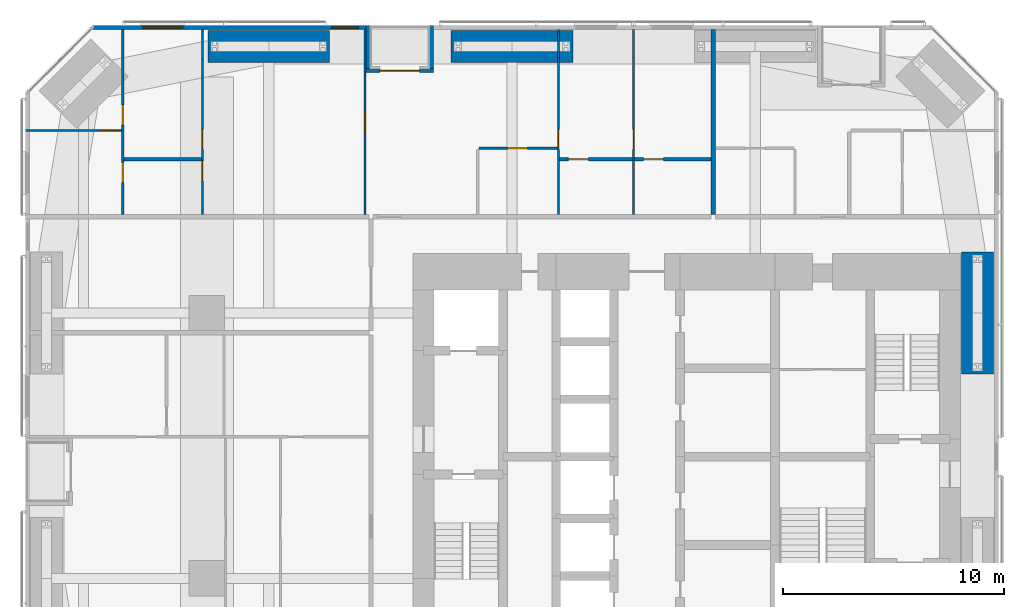
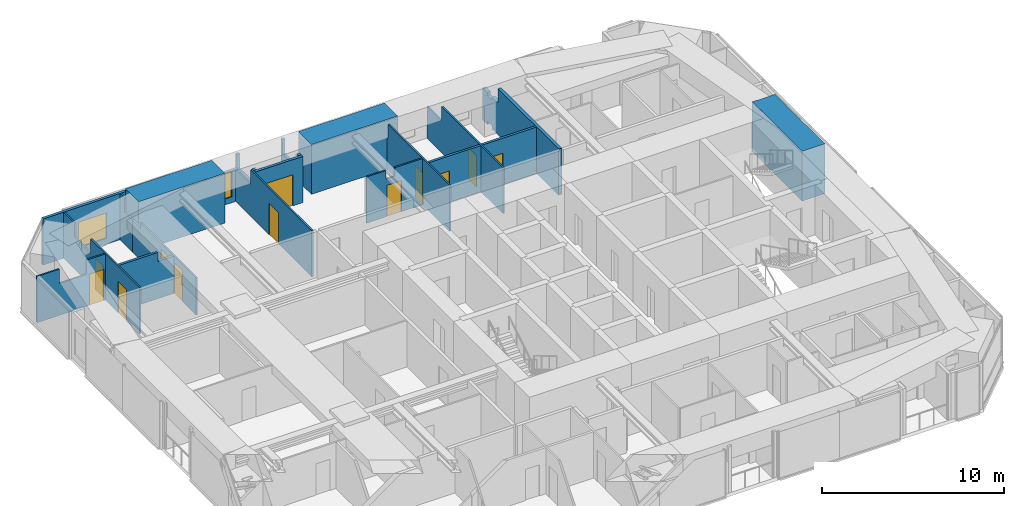
# One storey, part 22 of 24: 19 walls, 12 doors, 2 windows, 14 openings.
"""IFC4 building model written with IfcOpenShell, lengths in metres."""

from ifc_helpers import new_model, si_unit, direction, frame, frame_2d, origin, place, context, subcontext, project, spatial, polyline, rectangle, outline, extrude, material, layer, layer_set, constituent, constituent_set, type_object, element, fill, save


model = new_model("IFC4")

# Units and contexts
model_context = context("Model", 3, precision=1e-05, world=origin(), true_north=direction((0.0, 1.0)))
body_context = subcontext(model_context, "Body", "Model", "MODEL_VIEW")
ifc_project = project(units=[si_unit("LENGTHUNIT", "METRE"), si_unit("AREAUNIT", "SQUARE_METRE"), si_unit("VOLUMEUNIT", "CUBIC_METRE"), si_unit("PLANEANGLEUNIT", "RADIAN"), si_unit("MASSUNIT", "GRAM", prefix="KILO")], contexts=[model_context])

# Site, building, storey
site_placement = place(None, origin())
site = spatial("IfcSite", under=ifc_project, at=site_placement, CompositionType="ELEMENT")
building_placement = place(site_placement, origin())
building = spatial("IfcBuilding", under=site, at=building_placement, Name="Jalousie Tower", CompositionType="ELEMENT")
storey_placement = place(building_placement, frame((0.0, 0.0, 57.85009765625)))
storey = spatial("IfcBuildingStorey", under=building, at=storey_placement, Name="L15", CompositionType="ELEMENT", Elevation=57.85009765625)

# Wall
ifc_material_1 = material(Name="Concrete block ASTM C90", Category="concrete")
ifc_constituent_1 = constituent(ifc_material_1, Name="Body")
ifc_material_2 = material(Name="Render")
ifc_constituent_2 = constituent(ifc_material_2, Name="Finish")
ifc_constituent_set_1 = constituent_set(constituents=[ifc_constituent_1, ifc_constituent_2])
wall_type_1 = type_object("IfcWallType", Name="BATHROOM WALL 150", PredefinedType="PLUMBINGWALL", material=ifc_constituent_set_1)
wall_1_placement = place(storey_placement, frame((6.449951171875, 31.949951171875, 0.0), z_axis=(0.0, 0.0, 1.0), x_axis=(1.0, 0.0, 0.0)))
element("IfcWall", 1, at=wall_1_placement, inside=storey, type_object=wall_type_1, Name="Bathroom Wall 150 L15", PredefinedType="PLUMBINGWALL", context=body_context, shape_type="SweptSolid", body=[
    extrude(outline(polyline([(0.0, 0.0), (3.5, 0.0), (3.5, 3.10986328125), (3.5, 2.510009765625), (2.465087890625, 2.510009765625), (2.465087890625, 3.10986328125), (0.0, 3.10986328125), (0.0, 0.0)])), frame((0.0, 0.074951171875, 0.0), z_axis=(0.0, -1.0, 0.0), x_axis=(1.0, 0.0, 0.0)), (0.0, 0.0, 1.0), 0.14990234375),
])

# Wall, opening, door
wall_2_placement = place(storey_placement, frame((26.14990234375, 31.949951171875, 0.0), z_axis=(0.0, 0.0, 1.0), x_axis=(1.0, 0.0, 0.0)))
wall_2 = element("IfcWall", 2, at=wall_2_placement, inside=storey, type_object=wall_type_1, Name="Bathroom Wall 150 L15", PredefinedType="PLUMBINGWALL", context=body_context, shape_type="SweptSolid", body=[
    extrude(rectangle(XDim=3.300048828125, YDim=0.14990234375, at=frame_2d((1.64990234375, 0.0))), origin(), (0.0, 0.0, 1.0), 3.10986328125),
])
opening_1_placement = place(wall_2_placement, frame((0.39990234375, 0.0, 0.0)))
opening_1 = element("IfcOpeningElement", 3, at=opening_1_placement, cuts=wall_2, Name="Opening D3", PredefinedType="OPENING", context=body_context, shape_type="SweptSolid", body=[
    extrude(rectangle(XDim=0.89990234375, YDim=2.10009765625, at=frame_2d((0.449951171875, 1.050048828125))), frame((0.0, 0.0849609375, 0.0), z_axis=(0.0, -1.0, 0.0), x_axis=(1.0, 0.0, 0.0)), (0.0, 0.0, 1.0), 0.169921875),
])
ifc_material_3 = material(Name="Timber door", Category="wood")
door_type_1 = type_object("IfcDoorType", Name="BATHROOM DOOR 900", OperationType="SINGLE_SWING_LEFT", PredefinedType="DOOR", material=ifc_material_3)
door_1_placement = place(opening_1_placement, frame((0.89990234375, 0.0, 0.0), z_axis=(0.0, 0.0, 1.0), x_axis=(-1.0, 0.0, 0.0)))
door_1 = element("IfcDoor", 4, at=door_1_placement, inside=storey, type_object=door_type_1, Name="Apartment 1503 bedroom 3 bathroom door", OperationType="SINGLE_SWING_RIGHT", OverallHeight=2.10009765625, OverallWidth=0.89990234375, PredefinedType="DOOR", context=body_context, shape_type="SweptSolid", body=[
    extrude(rectangle(XDim=0.89990234375, YDim=2.10009765625, at=frame_2d((0.449951171875, 1.050048828125))), frame((0.0, 0.02490234375, 0.0), z_axis=(0.0, -1.0, 0.0), x_axis=(1.0, 0.0, 0.0)), (0.0, 0.0, 1.0), 0.050048828125),
])
fill(opening_1, door_1)

wall_3_placement = place(storey_placement, frame((29.550048828125, 31.949951171875, 0.0), z_axis=(0.0, 0.0, 1.0), x_axis=(1.0, 0.0, 0.0)))
wall_3 = element("IfcWall", 5, at=wall_3_placement, inside=storey, type_object=wall_type_1, Name="Bathroom Wall 150 L15", PredefinedType="PLUMBINGWALL", context=body_context, shape_type="SweptSolid", body=[
    extrude(rectangle(XDim=3.449951171875, YDim=0.14990234375, at=frame_2d((1.72509765625, 0.0))), origin(), (0.0, 0.0, 1.0), 3.10986328125),
])
opening_2_placement = place(wall_3_placement, frame((0.39990234375, 0.0, 0.0)))
opening_2 = element("IfcOpeningElement", 6, at=opening_2_placement, cuts=wall_3, Name="Opening D3", PredefinedType="OPENING", context=body_context, shape_type="SweptSolid", body=[
    extrude(rectangle(XDim=0.89990234375, YDim=2.10009765625, at=frame_2d((0.449951171875, 1.050048828125))), frame((0.0, 0.0849609375, 0.0), z_axis=(0.0, -1.0, 0.0), x_axis=(1.0, 0.0, 0.0)), (0.0, 0.0, 1.0), 0.169921875),
])
door_2_placement = place(opening_2_placement, frame((0.89990234375, 0.0, 0.0), z_axis=(0.0, 0.0, 1.0), x_axis=(-1.0, 0.0, 0.0)))
door_2 = element("IfcDoor", 7, at=door_2_placement, inside=storey, type_object=door_type_1, Name="Apartment 1503 bedroom 4 bathroom door", OperationType="SINGLE_SWING_RIGHT", OverallHeight=2.10009765625, OverallWidth=0.89990234375, PredefinedType="DOOR", context=body_context, shape_type="SweptSolid", body=[
    extrude(rectangle(XDim=0.89990234375, YDim=2.10009765625, at=frame_2d((0.449951171875, 1.050048828125))), frame((0.0, 0.02490234375, 0.0), z_axis=(0.0, -1.0, 0.0), x_axis=(1.0, 0.0, 0.0)), (0.0, 0.0, 1.0), 0.050048828125),
])
fill(opening_2, door_2)

# Wall, openings, windows
ifc_material_4 = material(Name="Concrete f'c 40 MPa", Category="concrete")
ifc_constituent_3 = constituent(ifc_material_4, Name="Body")
ifc_material_5 = material(Name="Render, pastel coral")
ifc_constituent_4 = constituent(ifc_material_5, Name="Finish")
ifc_constituent_set_2 = constituent_set(constituents=[ifc_constituent_3, ifc_constituent_4])
wall_type_2 = type_object("IfcWallType", Name="EXTERNAL WALL 175 CORAL RENDER", PredefinedType="SOLIDWALL", material=ifc_constituent_set_2)
wall_4_placement = place(storey_placement, frame((17.39990234375, 37.91259765625, 0.0), z_axis=(0.0, 0.0, 1.0), x_axis=(-1.0, 0.0, 0.0)))
wall_4 = element("IfcWall", 8, at=wall_4_placement, inside=storey, type_object=wall_type_2, Name="External Wall 175 Coral Render L15", PredefinedType="SOLIDWALL", context=body_context, shape_type="SweptSolid", body=[
    extrude(outline(polyline([(0.0, 0.0), (12.3486328125, 0.0), (12.3486328125, 3.10986328125), (4.60400390625, 3.10986328125), (4.60400390625, 2.14990234375), (4.5556640625, 2.14990234375), (4.5556640625, 3.10986328125), (4.39990234375, 3.10986328125), (4.39990234375, 2.14990234375), (0.0, 2.14990234375), (0.0, 0.0)])), frame((0.0, 0.08740234375, 0.0), z_axis=(0.0, -1.0, 0.0), x_axis=(1.0, 0.0, 0.0)), (0.0, 0.0, 1.0), 0.175048828125),
])
opening_3_placement = place(wall_4_placement, frame((0.35009765625, 0.0, 0.39990234375)))
opening_3 = element("IfcOpeningElement", 9, at=opening_3_placement, cuts=wall_4, Name="Opening W-COR170", PredefinedType="OPENING", context=body_context, shape_type="SweptSolid", body=[
    extrude(rectangle(XDim=1.199951171875, YDim=1.699951171875, at=frame_2d((0.60009765625, 0.85009765625))), frame((0.0, 0.097412109375, 0.0), z_axis=(0.0, -1.0, 0.0), x_axis=(1.0, 0.0, 0.0)), (0.0, 0.0, 1.0), 0.195068359375),
])
opening_4_placement = place(wall_4_placement, frame((8.300048828125, 0.0, 0.39990234375)))
opening_4 = element("IfcOpeningElement", 10, at=opening_4_placement, cuts=wall_4, Name="Opening W-BED170", PredefinedType="OPENING", context=body_context, shape_type="SweptSolid", body=[
    extrude(rectangle(XDim=1.800048828125, YDim=1.699951171875, at=frame_2d((0.89990234375, 0.85009765625))), frame((0.0, 0.097412109375, 0.0), z_axis=(0.0, -1.0, 0.0), x_axis=(1.0, 0.0, 0.0)), (0.0, 0.0, 1.0), 0.195068359375),
])
ifc_material_6 = material(Name="Aluminium frame, impact-rated glazing", Category="aluminium")
window_type_1 = type_object("IfcWindowType", Name="WINDOW BED 1800x1700", PartitioningType="SINGLE_PANEL", PredefinedType="WINDOW", material=ifc_material_6)
window_1_placement = place(opening_4_placement, origin())
window_1 = element("IfcWindow", 11, at=window_1_placement, inside=storey, type_object=window_type_1, Name="Apartment 1503 bedroom 2 window", OverallHeight=1.699951171875, OverallWidth=1.800048828125, PartitioningType="SINGLE_PANEL", PredefinedType="WINDOW", context=body_context, shape_type="SweptSolid", body=[
    extrude(rectangle(XDim=1.800048828125, YDim=1.699951171875, at=frame_2d((0.89990234375, 0.85009765625))), frame((0.0, 0.030029296875, 0.0), z_axis=(0.0, -1.0, 0.0), x_axis=(1.0, 0.0, 0.0)), (0.0, 0.0, 1.0), 0.06005859375),
])
fill(opening_4, window_1)
ifc_material_7 = material(Name="Aluminium frame, impact-rated glazing", Category="aluminium")
window_type_2 = type_object("IfcWindowType", Name="WINDOW COR 1200x1700", PartitioningType="SINGLE_PANEL", PredefinedType="WINDOW", material=ifc_material_7)
window_2_placement = place(opening_3_placement, origin())
window_2 = element("IfcWindow", 12, at=window_2_placement, inside=storey, type_object=window_type_2, Name="Apartment 1503 dining room window", OverallHeight=1.699951171875, OverallWidth=1.199951171875, PartitioningType="SINGLE_PANEL", PredefinedType="WINDOW", context=body_context, shape_type="SweptSolid", body=[
    extrude(rectangle(XDim=1.199951171875, YDim=1.699951171875, at=frame_2d((0.60009765625, 0.85009765625))), frame((0.0, 0.030029296875, 0.0), z_axis=(0.0, -1.0, 0.0), x_axis=(1.0, 0.0, 0.0)), (0.0, 0.0, 1.0), 0.06005859375),
])
fill(opening_3, window_2)

# Wall, opening, door
wall_5_placement = place(storey_placement, frame((20.449951171875, 35.96240234375, 0.0), z_axis=(0.0, 0.0, 1.0), x_axis=(-1.0, 0.0, 0.0)))
wall_5 = element("IfcWall", 13, at=wall_5_placement, inside=storey, type_object=wall_type_2, Name="External Wall 175 Coral Render L15", PredefinedType="SOLIDWALL", context=body_context, shape_type="SweptSolid", body=[
    extrude(rectangle(XDim=3.050048828125, YDim=0.175048828125, at=frame_2d((1.52490234375, 0.0))), origin(), (0.0, 0.0, 1.0), 3.10986328125),
])
opening_5_placement = place(wall_5_placement, frame((0.625, 0.0, 0.0)))
opening_5 = element("IfcOpeningElement", 14, at=opening_5_placement, cuts=wall_5, Name="Opening D-BAL21", PredefinedType="OPENING", context=body_context, shape_type="SweptSolid", body=[
    extrude(rectangle(XDim=1.800048828125, YDim=2.10009765625, at=frame_2d((0.89990234375, 1.050048828125))), frame((0.0, 0.097412109375, 0.0), z_axis=(0.0, -1.0, 0.0), x_axis=(1.0, 0.0, 0.0)), (0.0, 0.0, 1.0), 0.195068359375),
])
ifc_material_8 = material(Name="Aluminium frame, impact-rated glazing", Category="aluminium")
door_type_2 = type_object("IfcDoorType", Name="BALCONY DOOR 1800x2100", OperationType="SLIDING_TO_LEFT", PredefinedType="DOOR", material=ifc_material_8)
door_3_placement = place(opening_5_placement, origin())
door_3 = element("IfcDoor", 15, at=door_3_placement, inside=storey, type_object=door_type_2, Name="Apartment 1503 living room loggia door", OperationType="SLIDING_TO_LEFT", OverallHeight=2.10009765625, OverallWidth=1.800048828125, PredefinedType="DOOR", context=body_context, shape_type="SweptSolid", body=[
    extrude(rectangle(XDim=1.800048828125, YDim=2.10009765625, at=frame_2d((0.89990234375, 1.050048828125))), frame((0.0, 0.02490234375, 0.0), z_axis=(0.0, -1.0, 0.0), x_axis=(1.0, 0.0, 0.0)), (0.0, 0.0, 1.0), 0.050048828125),
])
fill(opening_5, door_3)

# Walls
for number, where, z_axis, x_axis, name in (
    (16, (20.362548828125, 38.0, 0.0), (0.0, 0.0, 1.0), (0.0, -1.0, 0.0), "External Wall 175 Coral Render L15"),
    (17, (17.487548828125, 38.0, 0.0), (0.0, 0.0, 1.0), (0.0, -1.0, 0.0), "External Wall 175 Coral Render L15"),
):
    element("IfcWall", number, at=place(storey_placement, frame(where, z_axis=z_axis, x_axis=x_axis)), inside=storey, type_object=wall_type_2, Name=name, PredefinedType="SOLIDWALL", context=body_context, shape_type="SweptSolid", body=[
        extrude(outline(polyline([(0.0, 0.0), (1.949951171875, 0.0), (1.949951171875, 3.10986328125), (1.75, 3.10986328125), (1.75, 2.14990234375), (0.14990234375, 2.14990234375), (0.14990234375, 3.10986328125), (0.0, 3.10986328125), (0.0, 0.0)])), frame((0.0, 0.08740234375, 0.0), z_axis=(0.0, -1.0, 0.0), x_axis=(1.0, 0.0, 0.0)), (0.0, 0.0, 1.0), 0.175048828125),
    ])

# Wall, openings, doors
ifc_material_9 = material(Name="Gypsum board", Category="gypsum")
ifc_constituent_5 = constituent(ifc_material_9, Name="Body")
ifc_material_10 = material(Name="Light-gauge steel studs ASTM A653 SS Grade 33", Category="steel")
ifc_constituent_6 = constituent(ifc_material_10, Name="Framing")
ifc_constituent_set_3 = constituent_set(constituents=[ifc_constituent_5, ifc_constituent_6])
wall_type_3 = type_object("IfcWallType", Name="PARTITION 100", PredefinedType="PARTITIONING", material=ifc_constituent_set_3)
wall_6_placement = place(storey_placement, frame((6.39990234375, 37.824951171875, 0.0), z_axis=(0.0, 0.0, 1.0), x_axis=(0.0, -1.0, 0.0)))
wall_6 = element("IfcWall", 18, at=wall_6_placement, inside=storey, type_object=wall_type_3, Name="Partition 100 L15", PredefinedType="PARTITIONING", context=body_context, shape_type="SweptSolid", body=[
    extrude(outline(polyline([(0.0, 0.0), (8.375, 0.0), (8.375, 3.10986328125), (2.978271484375, 3.10986328125), (2.978271484375, 2.14990234375), (1.223876953125, 2.14990234375), (1.223876953125, 3.10986328125), (0.0, 3.10986328125), (0.0, 0.0)])), frame((0.0, 0.050048828125, 0.0), z_axis=(0.0, -1.0, 0.0), x_axis=(1.0, 0.0, 0.0)), (0.0, 0.0, 1.0), 0.10009765625),
])
opening_6_placement = place(wall_6_placement, frame((3.421630859375, 0.0, 0.0)))
opening_6 = element("IfcOpeningElement", 19, at=opening_6_placement, cuts=wall_6, Name="Opening D2", PredefinedType="OPENING", context=body_context, shape_type="SweptSolid", body=[
    extrude(rectangle(XDim=0.89990234375, YDim=2.10009765625, at=frame_2d((0.449951171875, 1.050048828125))), frame((0.0, 0.06005859375, 0.0), z_axis=(0.0, -1.0, 0.0), x_axis=(1.0, 0.0, 0.0)), (0.0, 0.0, 1.0), 0.1201171875),
])
opening_7_placement = place(wall_6_placement, frame((6.023193359375, 0.0, 0.0)))
opening_7 = element("IfcOpeningElement", 20, at=opening_7_placement, cuts=wall_6, Name="Opening D3", PredefinedType="OPENING", context=body_context, shape_type="SweptSolid", body=[
    extrude(rectangle(XDim=0.89990234375, YDim=2.10009765625, at=frame_2d((0.449951171875, 1.050048828125))), frame((0.0, 0.06005859375, 0.0), z_axis=(0.0, -1.0, 0.0), x_axis=(1.0, 0.0, 0.0)), (0.0, 0.0, 1.0), 0.1201171875),
])
door_4_placement = place(opening_7_placement, origin())
door_4 = element("IfcDoor", 21, at=door_4_placement, inside=storey, type_object=door_type_1, Name="Apartment 1503 bedroom 1 bathroom door", OperationType="SINGLE_SWING_LEFT", OverallHeight=2.10009765625, OverallWidth=0.89990234375, PredefinedType="DOOR", context=body_context, shape_type="SweptSolid", body=[
    extrude(rectangle(XDim=0.89990234375, YDim=2.10009765625, at=frame_2d((0.449951171875, 1.050048828125))), frame((0.0, 0.02490234375, 0.0), z_axis=(0.0, -1.0, 0.0), x_axis=(1.0, 0.0, 0.0)), (0.0, 0.0, 1.0), 0.050048828125),
])
fill(opening_7, door_4)
ifc_material_11 = material(Name="Timber door", Category="wood")
door_type_3 = type_object("IfcDoorType", Name="BEDROOM DOOR 900", OperationType="SINGLE_SWING_LEFT", PredefinedType="DOOR", material=ifc_material_11)
door_5_placement = place(opening_6_placement, origin())
door_5 = element("IfcDoor", 22, at=door_5_placement, inside=storey, type_object=door_type_3, Name="Apartment 1503 bedroom 1 door", OperationType="SINGLE_SWING_RIGHT", OverallHeight=2.10009765625, OverallWidth=0.89990234375, PredefinedType="DOOR", context=body_context, shape_type="SweptSolid", body=[
    extrude(rectangle(XDim=0.89990234375, YDim=2.10009765625, at=frame_2d((0.449951171875, 1.050048828125))), frame((0.0, 0.02490234375, 0.0), z_axis=(0.0, -1.0, 0.0), x_axis=(1.0, 0.0, 0.0)), (0.0, 0.0, 1.0), 0.050048828125),
])
fill(opening_6, door_5)

# Wall
wall_7_placement = place(storey_placement, frame((10.0, 37.824951171875, 0.0), z_axis=(0.0, 0.0, 1.0), x_axis=(0.0, -1.0, 0.0)))
element("IfcWall", 23, at=wall_7_placement, inside=storey, type_object=wall_type_3, Name="Partition 100 L15-A", PredefinedType="PARTITIONING", context=body_context, shape_type="SweptSolid", body=[
    extrude(outline(polyline([(0.0, 0.0), (1.337646484375, 0.0), (1.337646484375, 2.14990234375), (0.50048828125, 2.14990234375), (0.50048828125, 3.10986328125), (0.0, 3.10986328125), (0.0, 0.0)])), frame((0.0, 0.050048828125, 0.0), z_axis=(0.0, -1.0, 0.0), x_axis=(1.0, 0.0, 0.0)), (0.0, 0.0, 1.0), 0.10009765625),
])

# Wall, openings, doors
wall_8_placement = place(storey_placement, frame((10.0, 36.4873046875, 0.0), z_axis=(0.0, 0.0, 1.0), x_axis=(0.0, -1.0, 0.0)))
wall_8 = element("IfcWall", 24, at=wall_8_placement, inside=storey, type_object=wall_type_3, Name="Partition 100 L15-B", PredefinedType="PARTITIONING", context=body_context, shape_type="SweptSolid", body=[
    extrude(outline(polyline([(0.0, 0.0), (7.037353515625, 0.0), (7.037353515625, 2.510009765625), (0.917236328125, 2.510009765625), (0.917236328125, 2.14990234375), (0.0, 2.14990234375), (0.0, 0.0)])), frame((0.0, 0.050048828125, 0.0), z_axis=(0.0, -1.0, 0.0), x_axis=(1.0, 0.0, 0.0)), (0.0, 0.0, 1.0), 0.10009765625),
])
opening_8_placement = place(wall_8_placement, frame((3.1875, 0.0, 0.0)))
opening_8 = element("IfcOpeningElement", 25, at=opening_8_placement, cuts=wall_8, Name="Opening D2", PredefinedType="OPENING", context=body_context, shape_type="SweptSolid", body=[
    extrude(rectangle(XDim=0.89990234375, YDim=2.10009765625, at=frame_2d((0.449951171875, 1.050048828125))), frame((0.0, 0.06005859375, 0.0), z_axis=(0.0, -1.0, 0.0), x_axis=(1.0, 0.0, 0.0)), (0.0, 0.0, 1.0), 0.1201171875),
])
opening_9_placement = place(wall_8_placement, frame((4.6123046875, 0.0, 0.0)))
opening_9 = element("IfcOpeningElement", 26, at=opening_9_placement, cuts=wall_8, Name="Opening D7", PredefinedType="OPENING", context=body_context, shape_type="SweptSolid", body=[
    extrude(rectangle(XDim=0.89990234375, YDim=2.10009765625, at=frame_2d((0.449951171875, 1.050048828125))), frame((0.0, 0.06005859375, 0.0), z_axis=(0.0, -1.0, 0.0), x_axis=(1.0, 0.0, 0.0)), (0.0, 0.0, 1.0), 0.1201171875),
])
door_6_placement = place(opening_8_placement, frame((0.89990234375, 0.0, 0.0), z_axis=(0.0, 0.0, 1.0), x_axis=(-1.0, 0.0, 0.0)))
door_6 = element("IfcDoor", 27, at=door_6_placement, inside=storey, type_object=door_type_3, Name="Apartment 1503 bedroom 2 door", OperationType="SINGLE_SWING_LEFT", OverallHeight=2.10009765625, OverallWidth=0.89990234375, PredefinedType="DOOR", context=body_context, shape_type="SweptSolid", body=[
    extrude(rectangle(XDim=0.89990234375, YDim=2.10009765625, at=frame_2d((0.449951171875, 1.050048828125))), frame((0.0, 0.02490234375, 0.0), z_axis=(0.0, -1.0, 0.0), x_axis=(1.0, 0.0, 0.0)), (0.0, 0.0, 1.0), 0.050048828125),
])
fill(opening_8, door_6)
ifc_material_12 = material(Name="Timber door", Category="wood")
door_type_4 = type_object("IfcDoorType", Name="INTERNAL DOOR 900", OperationType="SINGLE_SWING_LEFT", PredefinedType="DOOR", material=ifc_material_12)
door_7_placement = place(opening_9_placement, frame((0.89990234375, 0.0, 0.0), z_axis=(0.0, 0.0, 1.0), x_axis=(-1.0, 0.0, 0.0)))
door_7 = element("IfcDoor", 28, at=door_7_placement, inside=storey, type_object=door_type_4, Name="Apartment 1503 bathroom door", OperationType="SINGLE_SWING_RIGHT", OverallHeight=2.10009765625, OverallWidth=0.89990234375, PredefinedType="DOOR", context=body_context, shape_type="SweptSolid", body=[
    extrude(rectangle(XDim=0.89990234375, YDim=2.10009765625, at=frame_2d((0.449951171875, 1.050048828125))), frame((0.0, 0.02490234375, 0.0), z_axis=(0.0, -1.0, 0.0), x_axis=(1.0, 0.0, 0.0)), (0.0, 0.0, 1.0), 0.050048828125),
])
fill(opening_9, door_7)

# Wall, opening, door
wall_9_placement = place(storey_placement, frame((26.10009765625, 37.824951171875, 0.0), z_axis=(0.0, 0.0, 1.0), x_axis=(0.0, -1.0, 0.0)))
wall_9 = element("IfcWall", 29, at=wall_9_placement, inside=storey, type_object=wall_type_3, Name="Partition 100 L15", PredefinedType="PARTITIONING", context=body_context, shape_type="SweptSolid", body=[
    extrude(outline(polyline([(0.52880859375, 2.14990234375), (0.0, 2.14990234375), (0.0, 0.0), (0.52880859375, 0.0), (0.52880859375, 0.0341796875), (1.021240234375, 0.0341796875), (1.021240234375, 0.0), (8.375, 0.0), (8.375, 3.10986328125), (1.635009765625, 3.10986328125), (1.635009765625, 2.14990234375), (1.021240234375, 2.14990234375), (1.021240234375, 2.11572265625), (0.52880859375, 2.11572265625), (0.52880859375, 2.14990234375)])), frame((0.0, 0.050048828125, 0.0), z_axis=(0.0, -1.0, 0.0), x_axis=(1.0, 0.0, 0.0)), (0.0, 0.0, 1.0), 0.10009765625),
])
opening_10_placement = place(wall_9_placement, frame((4.52490234375, 0.0, 0.0)))
opening_10 = element("IfcOpeningElement", 30, at=opening_10_placement, cuts=wall_9, Name="Opening D2", PredefinedType="OPENING", context=body_context, shape_type="SweptSolid", body=[
    extrude(rectangle(XDim=0.89990234375, YDim=2.10009765625, at=frame_2d((0.449951171875, 1.050048828125))), frame((0.0, 0.06005859375, 0.0), z_axis=(0.0, -1.0, 0.0), x_axis=(1.0, 0.0, 0.0)), (0.0, 0.0, 1.0), 0.1201171875),
])
door_8_placement = place(opening_10_placement, origin())
door_8 = element("IfcDoor", 31, at=door_8_placement, inside=storey, type_object=door_type_3, Name="Apartment 1503 bedroom 3 door", OperationType="SINGLE_SWING_RIGHT", OverallHeight=2.10009765625, OverallWidth=0.89990234375, PredefinedType="DOOR", context=body_context, shape_type="SweptSolid", body=[
    extrude(rectangle(XDim=0.89990234375, YDim=2.10009765625, at=frame_2d((0.449951171875, 1.050048828125))), frame((0.0, 0.02490234375, 0.0), z_axis=(0.0, -1.0, 0.0), x_axis=(1.0, 0.0, 0.0)), (0.0, 0.0, 1.0), 0.050048828125),
])
fill(opening_10, door_8)

wall_10_placement = place(storey_placement, frame((29.5, 37.824951171875, 0.0), z_axis=(0.0, 0.0, 1.0), x_axis=(0.0, -1.0, 0.0)))
wall_10 = element("IfcWall", 32, at=wall_10_placement, inside=storey, type_object=wall_type_3, Name="Partition 100 L15", PredefinedType="PARTITIONING", context=body_context, shape_type="SweptSolid", body=[
    extrude(outline(polyline([(0.0, 0.0), (8.375, 0.0), (8.375, 3.10986328125), (1.635009765625, 3.10986328125), (1.635009765625, 2.14990234375), (0.0, 2.14990234375), (0.0, 3.10986328125), (0.0, 0.0)])), frame((0.0, 0.050048828125, 0.0), z_axis=(0.0, -1.0, 0.0), x_axis=(1.0, 0.0, 0.0)), (0.0, 0.0, 1.0), 0.10009765625),
])
opening_11_placement = place(wall_10_placement, frame((4.52490234375, 0.0, 0.0)))
opening_11 = element("IfcOpeningElement", 33, at=opening_11_placement, cuts=wall_10, Name="Opening D2", PredefinedType="OPENING", context=body_context, shape_type="SweptSolid", body=[
    extrude(rectangle(XDim=0.89990234375, YDim=2.10009765625, at=frame_2d((0.449951171875, 1.050048828125))), frame((0.0, 0.06005859375, 0.0), z_axis=(0.0, -1.0, 0.0), x_axis=(1.0, 0.0, 0.0)), (0.0, 0.0, 1.0), 0.1201171875),
])
door_9_placement = place(opening_11_placement, origin())
door_9 = element("IfcDoor", 34, at=door_9_placement, inside=storey, type_object=door_type_3, Name="Apartment 1503 bedroom 4 door", OperationType="SINGLE_SWING_RIGHT", OverallHeight=2.10009765625, OverallWidth=0.89990234375, PredefinedType="DOOR", context=body_context, shape_type="SweptSolid", body=[
    extrude(rectangle(XDim=0.89990234375, YDim=2.10009765625, at=frame_2d((0.449951171875, 1.050048828125))), frame((0.0, 0.02490234375, 0.0), z_axis=(0.0, -1.0, 0.0), x_axis=(1.0, 0.0, 0.0)), (0.0, 0.0, 1.0), 0.050048828125),
])
fill(opening_11, door_9)

wall_11_placement = place(storey_placement, frame((2.0, 33.25341796875, 0.0), z_axis=(0.0, 0.0, 1.0), x_axis=(1.0, 0.0, 0.0)))
wall_11 = element("IfcWall", 35, at=wall_11_placement, inside=storey, type_object=wall_type_3, Name="Partition 100 L15", PredefinedType="PARTITIONING", context=body_context, shape_type="SweptSolid", body=[
    extrude(outline(polyline([(0.0, 0.0), (4.35009765625, 0.0), (4.35009765625, 3.10986328125), (3.15966796875, 3.10986328125), (3.15966796875, 2.14990234375), (1.4169921875, 2.14990234375), (1.4169921875, 3.10986328125), (0.0, 3.10986328125), (0.0, 0.0)])), frame((0.0, 0.050048828125, 0.0), z_axis=(0.0, -1.0, 0.0), x_axis=(1.0, 0.0, 0.0)), (0.0, 0.0, 1.0), 0.10009765625),
])
opening_12_placement = place(wall_11_placement, frame((3.35009765625, 0.0, 0.0)))
opening_12 = element("IfcOpeningElement", 36, at=opening_12_placement, cuts=wall_11, Name="Opening D7", PredefinedType="OPENING", context=body_context, shape_type="SweptSolid", body=[
    extrude(rectangle(XDim=0.89990234375, YDim=2.10009765625, at=frame_2d((0.449951171875, 1.050048828125))), frame((0.0, 0.06005859375, 0.0), z_axis=(0.0, -1.0, 0.0), x_axis=(1.0, 0.0, 0.0)), (0.0, 0.0, 1.0), 0.1201171875),
])
door_10_placement = place(opening_12_placement, frame((0.89990234375, 0.0, 0.0), z_axis=(0.0, 0.0, 1.0), x_axis=(-1.0, 0.0, 0.0)))
door_10 = element("IfcDoor", 37, at=door_10_placement, inside=storey, type_object=door_type_4, Name="Apartment 1503 bedroom 1 dressing hall door", OperationType="SINGLE_SWING_LEFT", OverallHeight=2.10009765625, OverallWidth=0.89990234375, PredefinedType="DOOR", context=body_context, shape_type="SweptSolid", body=[
    extrude(rectangle(XDim=0.89990234375, YDim=2.10009765625, at=frame_2d((0.449951171875, 1.050048828125))), frame((0.0, 0.02490234375, 0.0), z_axis=(0.0, -1.0, 0.0), x_axis=(1.0, 0.0, 0.0)), (0.0, 0.0, 1.0), 0.050048828125),
])
fill(opening_12, door_10)

wall_12_placement = place(storey_placement, frame((22.5, 32.449951171875, 0.0), z_axis=(0.0, 0.0, 1.0), x_axis=(1.0, 0.0, 0.0)))
wall_12 = element("IfcWall", 38, at=wall_12_placement, inside=storey, type_object=wall_type_3, Name="Partition 100 L15", PredefinedType="PARTITIONING", context=body_context, shape_type="SweptSolid", body=[
    extrude(outline(polyline([(0.0, 0.0), (3.550048828125, 0.0), (3.550048828125, 3.10986328125), (1.787353515625, 3.10986328125), (1.787353515625, 2.541015625), (1.212646484375, 2.541015625), (1.212646484375, 3.10986328125), (0.0, 3.10986328125), (0.0, 0.0)])), frame((0.0, 0.050048828125, 0.0), z_axis=(0.0, -1.0, 0.0), x_axis=(1.0, 0.0, 0.0)), (0.0, 0.0, 1.0), 0.10009765625),
])
opening_13_placement = place(wall_12_placement, frame((1.300048828125, 0.0, 0.0)))
opening_13 = element("IfcOpeningElement", 39, at=opening_13_placement, cuts=wall_12, Name="Opening D7", PredefinedType="OPENING", context=body_context, shape_type="SweptSolid", body=[
    extrude(rectangle(XDim=0.89990234375, YDim=2.10009765625, at=frame_2d((0.449951171875, 1.050048828125))), frame((0.0, 0.06005859375, 0.0), z_axis=(0.0, -1.0, 0.0), x_axis=(1.0, 0.0, 0.0)), (0.0, 0.0, 1.0), 0.1201171875),
])
door_11_placement = place(opening_13_placement, frame((0.89990234375, 0.0, 0.0), z_axis=(0.0, 0.0, 1.0), x_axis=(-1.0, 0.0, 0.0)))
door_11 = element("IfcDoor", 40, at=door_11_placement, inside=storey, type_object=door_type_4, Name="Apartment 1503 kitchen door", OperationType="SINGLE_SWING_RIGHT", OverallHeight=2.10009765625, OverallWidth=0.89990234375, PredefinedType="DOOR", context=body_context, shape_type="SweptSolid", body=[
    extrude(rectangle(XDim=0.89990234375, YDim=2.10009765625, at=frame_2d((0.449951171875, 1.050048828125))), frame((0.0, 0.02490234375, 0.0), z_axis=(0.0, -1.0, 0.0), x_axis=(1.0, 0.0, 0.0)), (0.0, 0.0, 1.0), 0.050048828125),
])
fill(opening_13, door_11)

wall_13_placement = place(storey_placement, frame((17.35009765625, 37.824951171875, 0.0), z_axis=(0.0, 0.0, 1.0), x_axis=(0.0, -1.0, 0.0)))
wall_13 = element("IfcWall", 41, at=wall_13_placement, inside=storey, type_object=wall_type_3, Name="Partition 100 L15", PredefinedType="PARTITIONING", context=body_context, shape_type="SweptSolid", body=[
    extrude(outline(polyline([(0.0, 0.0), (8.375, 0.0), (8.375, 3.10986328125), (1.635009765625, 3.10986328125), (1.635009765625, 2.14990234375), (0.0, 2.14990234375), (0.0, 3.10986328125), (0.0, 0.0)])), frame((0.0, 0.050048828125, 0.0), z_axis=(0.0, -1.0, 0.0), x_axis=(1.0, 0.0, 0.0)), (0.0, 0.0, 1.0), 0.10009765625),
])
opening_14_placement = place(wall_13_placement, frame((3.6875, 0.0, 0.0)))
opening_14 = element("IfcOpeningElement", 42, at=opening_14_placement, cuts=wall_13, Name="Opening D6", PredefinedType="OPENING", context=body_context, shape_type="SweptSolid", body=[
    extrude(rectangle(XDim=1.0, YDim=2.10009765625, at=frame_2d((0.5, 1.050048828125))), frame((0.0, 0.06005859375, 0.0), z_axis=(0.0, -1.0, 0.0), x_axis=(1.0, 0.0, 0.0)), (0.0, 0.0, 1.0), 0.1201171875),
])
ifc_material_13 = material(Name="Timber door", Category="wood")
door_type_5 = type_object("IfcDoorType", Name="INTERNAL DOOR 1000", OperationType="SINGLE_SWING_LEFT", PredefinedType="DOOR", material=ifc_material_13)
door_12_placement = place(opening_14_placement, frame((1.0, 0.0, 0.0), z_axis=(0.0, 0.0, 1.0), x_axis=(-1.0, 0.0, 0.0)))
door_12 = element("IfcDoor", 43, at=door_12_placement, inside=storey, type_object=door_type_5, Name="Apartment 1503 dining room door", OperationType="SINGLE_SWING_RIGHT", OverallHeight=2.10009765625, OverallWidth=1.0, PredefinedType="DOOR", context=body_context, shape_type="SweptSolid", body=[
    extrude(rectangle(XDim=1.0, YDim=2.10009765625, at=frame_2d((0.5, 1.050048828125))), frame((0.0, 0.02490234375, 0.0), z_axis=(0.0, -1.0, 0.0), x_axis=(1.0, 0.0, 0.0)), (0.0, 0.0, 1.0), 0.050048828125),
])
fill(opening_14, door_12)

# Walls
ifc_material_14 = material(Name="Concrete block ASTM C90", Category="concrete")
ifc_constituent_7 = constituent(ifc_material_14, Name="Body")
ifc_material_15 = material(Name="Render")
ifc_constituent_8 = constituent(ifc_material_15, Name="Finish")
ifc_constituent_set_4 = constituent_set(constituents=[ifc_constituent_7, ifc_constituent_8])
wall_type_4 = type_object("IfcWallType", Name="PARTY WALL 200", PredefinedType="PARTITIONING", material=ifc_constituent_set_4)
wall_14_placement = place(storey_placement, frame((33.10009765625, 37.824951171875, 0.0), z_axis=(0.0, 0.0, 1.0), x_axis=(0.0, -1.0, 0.0)))
element("IfcWall", 44, at=wall_14_placement, inside=storey, type_object=wall_type_4, Name="Party Wall 200 L15", PredefinedType="PARTITIONING", context=body_context, shape_type="SweptSolid", body=[
    extrude(outline(polyline([(0.52880859375, 2.14990234375), (0.0, 2.14990234375), (0.0, 0.0), (0.52880859375, 0.0), (0.52880859375, 0.205078125), (1.021240234375, 0.205078125), (1.021240234375, 0.0), (8.375, 0.0), (8.375, 3.10986328125), (1.68505859375, 3.10986328125), (1.68505859375, 2.14990234375), (1.021240234375, 2.14990234375), (1.021240234375, 1.94482421875), (0.52880859375, 1.94482421875), (0.52880859375, 2.14990234375)])), frame((0.0, 0.10009765625, 0.0), z_axis=(0.0, -1.0, 0.0), x_axis=(1.0, 0.0, 0.0)), (0.0, 0.0, 1.0), 0.199951171875),
])
ifc_material_16 = material(Name="Concrete f'c 120 MPa", Category="concrete")
ifc_layer = layer(ifc_material_16, 1.449951171875)
ifc_layer_set = layer_set([ifc_layer], Name="Concrete f'c 120 MPa")
wall_type_5 = type_object("IfcWallType", Name="RC WALL PIER 1450", PredefinedType="SHEAR", material=ifc_layer_set)
for number, where, z_axis, x_axis, name in (
    (45, (45.050048828125, 22.25, 0.0), (0.0, 0.0, 1.0), (0.0, 1.0, 0.0), "Wall pier 07 L15"),
    (46, (21.25, 37.050048828125, 0.0), (0.0, 0.0, 1.0), (1.0, 0.0, 0.0), "Wall pier 10 L15"),
    (47, (10.25, 37.050048828125, 0.0), (0.0, 0.0, 1.0), (1.0, 0.0, 0.0), "Wall pier 11 L15"),
):
    element("IfcWall", number, at=place(storey_placement, frame(where, z_axis=z_axis, x_axis=x_axis)), inside=storey, type_object=wall_type_5, Name=name, PredefinedType="SHEAR", context=body_context, shape_type="SweptSolid", body=[
        extrude(rectangle(XDim=5.5, YDim=1.449951171875, at=frame_2d((2.75, 0.0))), origin(), (0.0, 0.0, 1.0), 3.349853515625),
    ])

save(model, "model.ifc")
